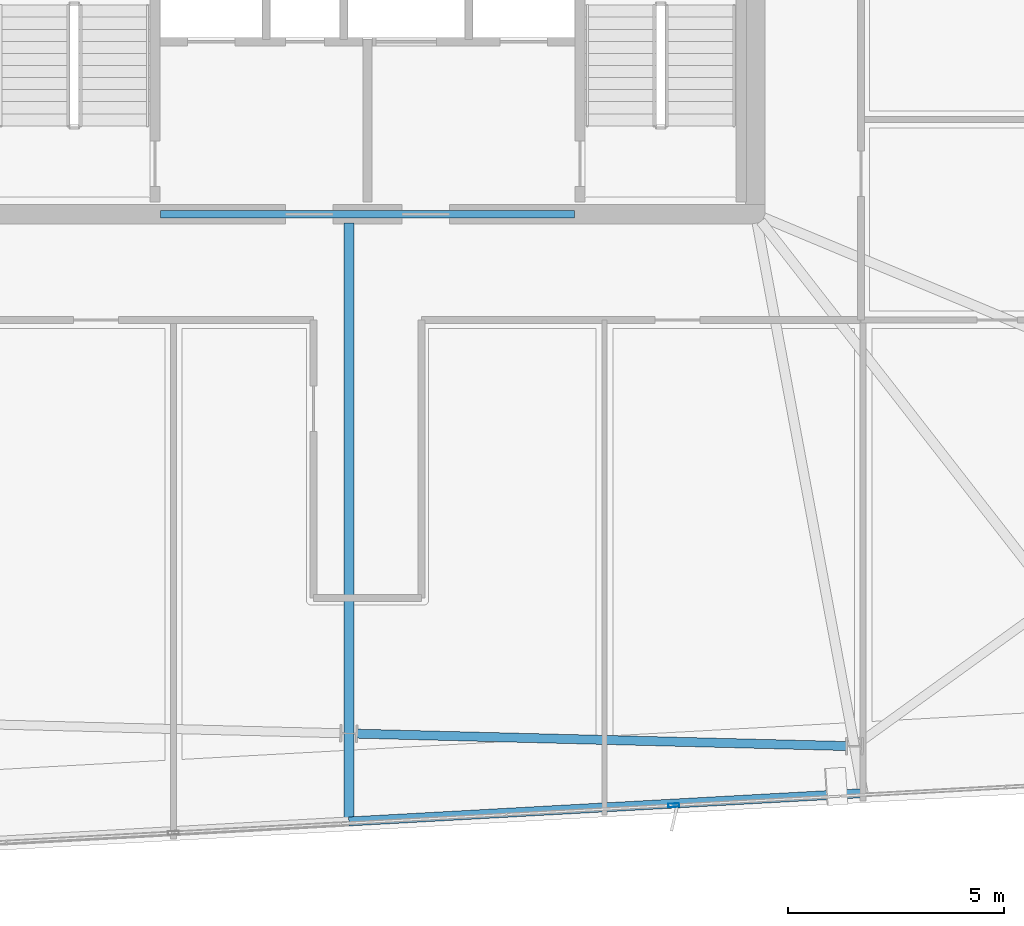
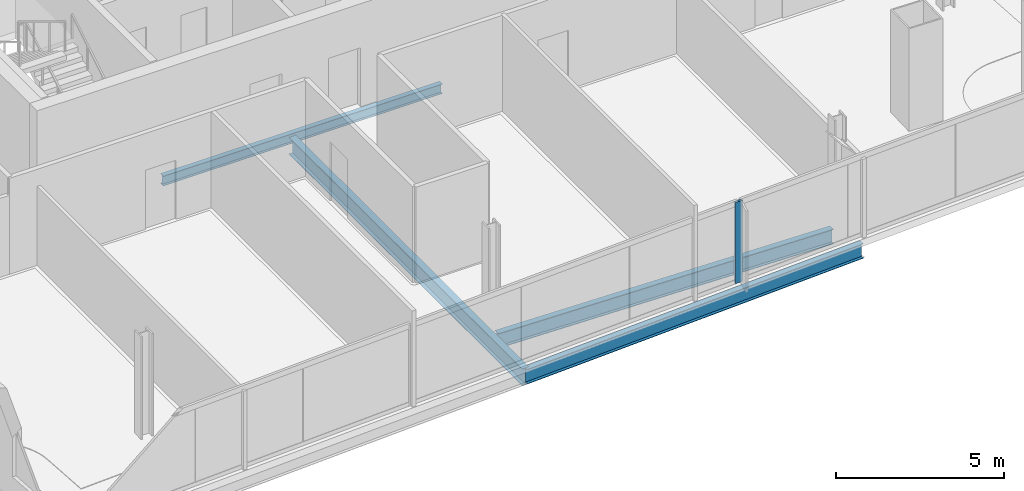
# One storey, part 5 of 23: 4 beams, 1 member, 1 element without a shape of its own.
"""IFC4 building model written with IfcOpenShell, lengths in metres."""

from ifc_helpers import new_model, si_unit, direction, frame, origin, origin_2d, place, context, subcontext, project, spatial, hollow_rectangle, i_section, extrude, material, material_profile, profile_set, type_object, element, aggregate, save


model = new_model("IFC4")

# Units and contexts
model_context = context("Model", 3, precision=1e-05, world=origin(), true_north=direction((0.0, 1.0)))
body_context = subcontext(model_context, "Body", "Model", "MODEL_VIEW")
ifc_project = project(units=[si_unit("LENGTHUNIT", "METRE"), si_unit("AREAUNIT", "SQUARE_METRE"), si_unit("VOLUMEUNIT", "CUBIC_METRE"), si_unit("PLANEANGLEUNIT", "RADIAN"), si_unit("MASSUNIT", "GRAM", prefix="KILO")], contexts=[model_context])

# Site, building, storey
site_placement = place(None, origin())
site = spatial("IfcSite", under=ifc_project, at=site_placement, CompositionType="ELEMENT")
building_placement = place(site_placement, origin())
building = spatial("IfcBuilding", under=site, at=building_placement, Name="Haldenkirk Collegiate Tower", CompositionType="ELEMENT")
storey_placement = place(building_placement, frame((0.0, 0.0, 340.199951171875)))
storey = spatial("IfcBuildingStorey", under=building, at=storey_placement, Name="L86", CompositionType="ELEMENT", Elevation=340.199951171875)

# Beams
ifc_material_1 = material(Name="Steel ASTM A992 Grade 50", Category="steel")
ifc_material_profile_1 = material_profile(ifc_material_1, i_section(OverallWidth=0.22998046875, OverallDepth=0.616943359375, WebThickness=0.01318359375, FlangeThickness=0.022216796875, at=origin_2d()), Name="W24X94")
ifc_profile_set_1 = profile_set([ifc_material_profile_1], Name="Steel ASTM A992 Grade 50")
beam_type_1 = type_object("IfcBeamType", Name="BM-GIRDER-W24X94", PredefinedType="BEAM", material=ifc_profile_set_1)
beam_1_placement = place(storey_placement, frame((35.567626953125, 3.912841796875, -0.568359375), z_axis=(0.0, 1.0, 0.0), x_axis=(-1.0, 0.0, 0.0)))
element("IfcBeam", 1, at=beam_1_placement, inside=storey, type_object=beam_type_1, Name="L86 primary floor girder 15", PredefinedType="BEAM", context=body_context, shape_type="SweptSolid", body=[
    extrude(i_section(OverallWidth=0.22998046875, OverallDepth=0.616943359375, WebThickness=0.01318359375, FlangeThickness=0.022216796875, at=origin_2d()), origin(), (0.0, 0.0, 1.0), 13.882080078125),
])
ifc_material_profile_2 = material_profile(ifc_material_1, i_section(OverallWidth=0.1708984375, OverallDepth=0.35595703125, WebThickness=0.007080078125, FlangeThickness=0.01171875, at=origin_2d()), Name="W14X34")
ifc_profile_set_2 = profile_set([ifc_material_profile_2], Name="Steel ASTM A992 Grade 50")
beam_type_2 = type_object("IfcBeamType", Name="BM-LINTEL-W14X34", PredefinedType="LINTEL", material=ifc_profile_set_2)
beam_2_placement = place(storey_placement, frame((31.199951171875, 18.0, -0.43798828125), z_axis=(1.0, 0.0, 0.0), x_axis=(0.0, 1.0, 0.0)))
element("IfcBeam", 2, at=beam_2_placement, inside=storey, type_object=beam_type_2, Name="L86 south core coupling lintel", PredefinedType="LINTEL", context=body_context, shape_type="SweptSolid", body=[
    extrude(i_section(OverallWidth=0.1708984375, OverallDepth=0.35595703125, WebThickness=0.007080078125, FlangeThickness=0.01171875, at=origin_2d()), origin(), (0.0, 0.0, 1.0), 9.60009765625),
])
ifc_material_profile_3 = material_profile(ifc_material_1, i_section(OverallWidth=0.2099609375, OverallDepth=0.537109375, WebThickness=0.010986328125, FlangeThickness=0.017333984375, at=origin_2d()), Name="W21X68")
ifc_profile_set_3 = profile_set([ifc_material_profile_3], Name="Steel ASTM A992 Grade 50")
beam_type_3 = type_object("IfcBeamType", Name="BM-SPANDREL-W21X68", PredefinedType="SPANDREL", material=ifc_profile_set_3)
beam_3_placement = place(storey_placement, frame((35.755615234375, 5.94970703125, -0.528564453125), z_axis=(0.999679850822, -0.025302092003, 0.0), x_axis=(0.025302092003, 0.999679850822, 0.0)))
element("IfcBeam", 3, at=beam_3_placement, inside=storey, type_object=beam_type_3, Name="L86 perimeter spandrel beam 15", PredefinedType="SPANDREL", context=body_context, shape_type="SweptSolid", body=[
    extrude(i_section(OverallWidth=0.2099609375, OverallDepth=0.537109375, WebThickness=0.010986328125, FlangeThickness=0.017333984375, at=origin_2d()), origin(), (0.0, 0.0, 1.0), 11.35693359375),
])
beam_4_placement = place(storey_placement, frame((35.567626953125, 3.912841796875, -0.528564453125), z_axis=(0.99848869829, 0.054957432496, 0.0), x_axis=(-0.054957432496, 0.99848869829, 0.0)))
element("IfcBeam", 4, at=beam_4_placement, inside=storey, type_object=beam_type_3, Name="L86 outer facade edge beam 4B", PredefinedType="SPANDREL", context=body_context, shape_type="SweptSolid", body=[
    extrude(i_section(OverallWidth=0.2099609375, OverallDepth=0.537109375, WebThickness=0.010986328125, FlangeThickness=0.017333984375, at=origin_2d()), origin(), (0.0, 0.0, 1.0), 11.949951171875),
])

# Curtain wall, member
ifc_material_2 = material(Name="Anodised architectural bronze aluminium", Category="aluminium")
curtain_wall_type = type_object("IfcCurtainWallType", Name="CW-SYS1B-CONVEX-HI", PredefinedType="USERDEFINED", material=ifc_material_2)
curtain_wall_placement = place(storey_placement, origin())
curtain_wall = element("IfcCurtainWall", 5, at=curtain_wall_placement, inside=storey, type_object=curtain_wall_type, Name="L86 Upper tower high-wind convex bronze unitised curtain wall", ObjectType="UNITISED CURTAIN WALL", PredefinedType="USERDEFINED")
ifc_material_profile_4 = material_profile(ifc_material_2, hollow_rectangle(XDim=0.0849609375, YDim=0.25, WallThickness=0.0048828125, at=origin_2d()), Name="CW-MUL-1B")
ifc_profile_set_4 = profile_set([ifc_material_profile_4], Name="Anodised architectural bronze aluminium")
member_type = type_object("IfcMemberType", Name="CW-MUL-1B", PredefinedType="MULLION", material=ifc_profile_set_4)
member_placement = place(storey_placement, frame((43.103759765625, 4.28759765625, 0.0), z_axis=(0.0, 0.0, 1.0), x_axis=(0.054947531961, -0.998489243173, 0.0)))
member = element("IfcMember", 6, at=member_placement, type_object=member_type, Name="CW-1B mullion 2", PredefinedType="MULLION", context=body_context, shape_type="SweptSolid", body=[
    extrude(hollow_rectangle(XDim=0.0849609375, YDim=0.25, WallThickness=0.0048828125, at=origin_2d()), origin(), (0.0, 0.0, 1.0), 2.947998046875),
])
aggregate(curtain_wall, [member])

save(model, "model.ifc")
